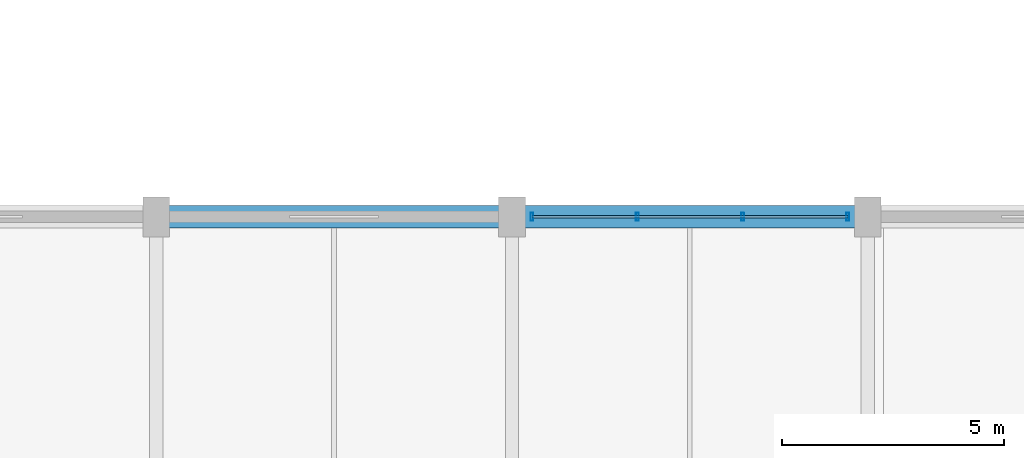
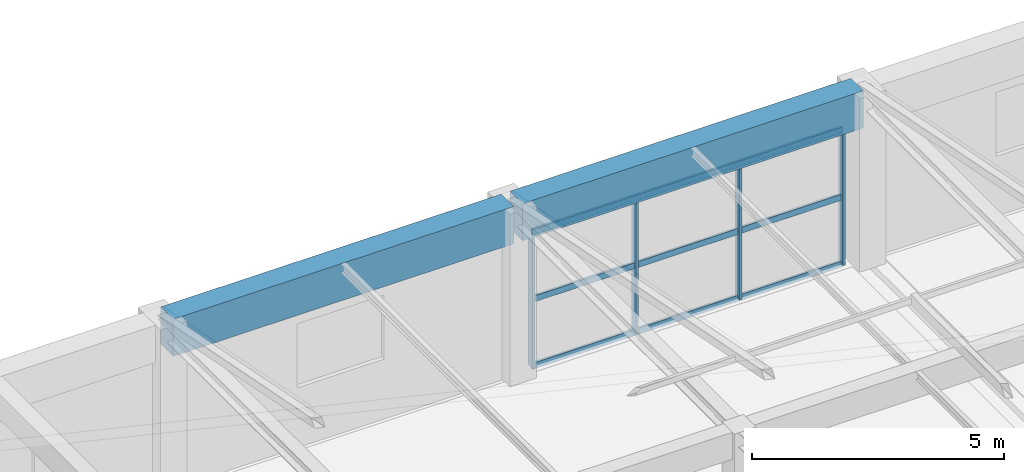
# One storey, part 19 of 65: 7 members, 2 beams, 1 element without a shape of its own.
"""IFC4 building model written with IfcOpenShell, lengths in metres."""

import ifcopenshell
import ifcopenshell.guid

model = None  # the IFC model being written
_history = None  # IfcOwnerHistory: only IFC2X3 demands one
_inside = {}  # id of a spatial element -> (the spatial element, [elements in it])
_under = {}  # id of a project, library or spatial element -> (it, [spatial elements below it])
_declared = {}  # id of a project -> (the project, [libraries it declares])
_typed = {}  # id of a type object -> (the type object, [elements of that type])
_made_of = {}  # id of a material, layer set ... -> (it, [elements and type objects made of it])


def new_model(schema):
    """Start an empty IFC model of exactly this schema.

    Asked for "IFC4X3", IfcOpenShell would pick the latest addendum, in which some entities
    have other attributes; the version numbers below select the first issue.
    IFC2X3 requires an IfcOwnerHistory on every rooted entity: one is made here for all.
    """
    global model, _history
    if schema == "IFC4X3":
        model = ifcopenshell.file(schema_version=(4, 3, 0, 0))
    else:
        model = ifcopenshell.file(schema=schema)
    _inside.clear()
    _under.clear()
    _declared.clear()
    _typed.clear()
    _made_of.clear()
    _history = None
    if model.schema == "IFC2X3":
        org = make("IfcOrganization", Name="unknown")
        user = make(
            "IfcPersonAndOrganization",
            ThePerson=make("IfcPerson", FamilyName="unknown"),
            TheOrganization=org,
        )
        app = make(
            "IfcApplication",
            ApplicationDeveloper=org,
            Version="unknown",
            ApplicationFullName="unknown",
            ApplicationIdentifier="unknown",
        )
        _history = make(
            "IfcOwnerHistory",
            OwningUser=user,
            OwningApplication=app,
            ChangeAction="ADDED",
            CreationDate=0,
        )
    return model


def make(cls, **values):
    """One entity of the class cls with the attributes given. An attribute that is None is left unset."""
    return model.create_entity(
        cls, **{name: value for name, value in values.items() if value is not None}
    )


def rooted(cls, **values):
    """An entity with a GlobalId (a new one), such as an element, a storey or a relation."""
    return make(cls, GlobalId=ifcopenshell.guid.new(), OwnerHistory=_history, **values)


def si_unit(unit_type, name, prefix=None):
    """IfcSIUnit, for example si_unit("LENGTHUNIT", "METRE", prefix="MILLI")."""
    return make("IfcSIUnit", UnitType=unit_type, Prefix=prefix, Name=name)


def assignment(units):
    """IfcUnitAssignment: the units of a project."""
    return None if units is None else make("IfcUnitAssignment", Units=units)


def point(xyz):
    """IfcCartesianPoint."""
    return None if xyz is None else make("IfcCartesianPoint", Coordinates=xyz)


def direction(xyz):
    """IfcDirection."""
    return None if xyz is None else make("IfcDirection", DirectionRatios=xyz)


def frame(location, z_axis=None, x_axis=None):
    """IfcAxis2Placement3D, a coordinate frame: its origin and axes. An axis left out is left unset."""
    return make(
        "IfcAxis2Placement3D",
        Location=point(location),
        Axis=direction(z_axis),
        RefDirection=direction(x_axis),
    )


def frame_2d(location, x_axis=None):
    """IfcAxis2Placement2D, a coordinate frame in the plane: its origin and x axis."""
    return make(
        "IfcAxis2Placement2D", Location=point(location), RefDirection=direction(x_axis)
    )


def origin():
    """The frame at (0, 0, 0) with its axes left unset."""
    return frame((0.0, 0.0, 0.0))


def origin_2d():
    """The frame at (0, 0) in the plane with its x axis left unset."""
    return frame_2d((0.0, 0.0))


def place(relative_to, where):
    """IfcLocalPlacement: puts the frame where relative to a parent placement (None: the world)."""
    return make(
        "IfcLocalPlacement", PlacementRelTo=relative_to, RelativePlacement=where
    )


def context(
    kind, dimensions, precision=None, world=None, true_north=None, identifier=None
):
    """IfcGeometricRepresentationContext, for example the 3D "Model" context."""
    return make(
        "IfcGeometricRepresentationContext",
        ContextIdentifier=identifier,
        ContextType=kind,
        CoordinateSpaceDimension=dimensions,
        Precision=precision,
        WorldCoordinateSystem=world,
        TrueNorth=true_north,
    )


def subcontext(parent, identifier, kind, view, scale=None):
    """IfcGeometricRepresentationSubContext, for example "Body" below "Model"."""
    return make(
        "IfcGeometricRepresentationSubContext",
        ContextIdentifier=identifier,
        ContextType=kind,
        ParentContext=parent,
        TargetScale=scale,
        TargetView=view,
    )


def project(units=None, contexts=None):
    """IfcProject with its units and contexts."""
    return rooted(
        "IfcProject",
        Name="project",
        RepresentationContexts=contexts,
        UnitsInContext=assignment(units),
    )


def spatial(cls, under=None, at=None, **own):
    """A site, building, storey or space (cls), placed at a placement, below another one or the project."""
    s = rooted(cls, ObjectPlacement=at, **own)
    if under is not None:
        _under.setdefault(under.id(), (under, []))[1].append(s)
    return s


def profile(cls, at=None, kind="AREA", **sizes):
    """A parametric profile (cls). Its sizes go by their IFC names, for example OverallWidth=200.0."""
    return make(cls, ProfileType=kind, Position=at, **sizes)


def rectangle(**sizes):
    """IfcRectangleProfileDef."""
    return profile("IfcRectangleProfileDef", **sizes)


def hollow_rectangle(**sizes):
    """IfcRectangleHollowProfileDef."""
    return profile("IfcRectangleHollowProfileDef", **sizes)


def extrude(swept, where, along, depth):
    """IfcExtrudedAreaSolid: the profile swept, set in the frame where, extruded along a direction by depth."""
    return make(
        "IfcExtrudedAreaSolid",
        SweptArea=swept,
        Position=where,
        ExtrudedDirection=direction(along),
        Depth=depth,
    )


def shape(context_of_items, identifier, shape_type, items):
    """IfcShapeRepresentation: the items that make up one representation, for example the "Body"."""
    return make(
        "IfcShapeRepresentation",
        ContextOfItems=context_of_items,
        RepresentationIdentifier=identifier,
        RepresentationType=shape_type,
        Items=items,
    )


def material(Name=None, Category=None):
    """IfcMaterial."""
    return make("IfcMaterial", Name=Name, Category=Category)


def material_profile(
    of_material, cross_section, Name=None, Category=None, Priority=None
):
    """IfcMaterialProfile: a cross section and its material."""
    return make(
        "IfcMaterialProfile",
        Name=Name,
        Material=of_material,
        Profile=cross_section,
        Priority=Priority,
        Category=Category,
    )


def profile_set(profiles, Name=None, composite=None):
    """IfcMaterialProfileSet."""
    return make(
        "IfcMaterialProfileSet",
        Name=Name,
        MaterialProfiles=profiles,
        CompositeProfile=composite,
    )


def made_of(thing, what):
    """Note that an element or type object is made of a material, layer set ...; save() writes the relation."""
    if what is not None:
        _made_of.setdefault(what.id(), (what, []))[1].append(thing)
    return thing


def type_object(cls, material=None, **own):
    """A type object (cls), such as IfcWallType, which elements share."""
    return made_of(rooted(cls, **own), material)


def element(
    cls,
    number,
    at=None,
    inside=None,
    cuts=None,
    type_object=None,
    material=None,
    context=None,
    identifier="Body",
    shape_type=None,
    held_by="IfcProductDefinitionShape",
    body=None,
    shapes=None,
    **own,
):
    """One element of the class cls, such as IfcWall. Its Tag is "e" and its number.

    at: its placement. inside: the storey or other place that contains it. cuts: it is an
    opening in that element (IfcRelVoidsElement). A single representation is given by context,
    identifier, shape_type and body (its items); several are given by shapes. held_by: the class
    of the entity that holds the representations. save() writes the other relations.
    """
    e = rooted(cls, Tag="e%d" % number, ObjectPlacement=at, **own)
    if body is not None:
        shapes = [shape(context, identifier, shape_type, body)]
    if shapes is not None:
        e.Representation = make(held_by, Representations=shapes)
    if inside is not None:
        _inside.setdefault(inside.id(), (inside, []))[1].append(e)
    if cuts is not None:
        rooted(
            "IfcRelVoidsElement", RelatingBuildingElement=cuts, RelatedOpeningElement=e
        )
    if type_object is not None:
        _typed.setdefault(type_object.id(), (type_object, []))[1].append(e)
    return made_of(e, material)


def aggregate(whole, parts):
    """IfcRelAggregates: a whole, such as a stair, and the parts it consists of."""
    return rooted("IfcRelAggregates", RelatingObject=whole, RelatedObjects=parts)


def save(model, path):
    """Write the relations noted so far, then the file.

    IfcRelAggregates (storeys below a building ...), IfcRelContainedInSpatialStructure (elements
    in a storey), IfcRelDefinesByType, IfcRelAssociatesMaterial and IfcRelDeclares: one each for
    every whole, place, type object, material and project.
    """
    for whole, parts in _under.values():
        aggregate(whole, parts)
    for where, things in _inside.values():
        rooted(
            "IfcRelContainedInSpatialStructure",
            RelatedElements=things,
            RelatingStructure=where,
        )
    for kind, things in _typed.values():
        rooted("IfcRelDefinesByType", RelatedObjects=things, RelatingType=kind)
    for what, things in _made_of.values():
        rooted("IfcRelAssociatesMaterial", RelatedObjects=things, RelatingMaterial=what)
    for by, libraries in _declared.values():
        rooted("IfcRelDeclares", RelatingContext=by, RelatedDefinitions=libraries)
    model.write(path)


model = new_model("IFC4")

# Units and contexts
model_context = context("Model", 3, precision=1e-05, world=origin(), true_north=direction((0.0, 1.0)))
body_context = subcontext(model_context, "Body", "Model", "MODEL_VIEW")
ifc_project = project(units=[si_unit("LENGTHUNIT", "METRE"), si_unit("AREAUNIT", "SQUARE_METRE"), si_unit("VOLUMEUNIT", "CUBIC_METRE"), si_unit("PLANEANGLEUNIT", "RADIAN"), si_unit("MASSUNIT", "GRAM", prefix="KILO")], contexts=[model_context])

# Site, building, storey
site_placement = place(None, origin())
site = spatial("IfcSite", under=ifc_project, at=site_placement, CompositionType="ELEMENT")
building_placement = place(site_placement, origin())
building = spatial("IfcBuilding", under=site, at=building_placement, Name="Varnabhumi Central Station", CompositionType="ELEMENT")
storey_placement = place(building_placement, frame((0.0, 0.0, 24.60009765625)))
storey = spatial("IfcBuildingStorey", under=building, at=storey_placement, Name="L05", CompositionType="ELEMENT", Elevation=24.60009765625)

# Beams
ifc_material_1 = material(Name="Concrete M40", Category="concrete")
ifc_material_profile_1 = material_profile(ifc_material_1, rectangle(XDim=0.5, YDim=0.89990234375, at=origin_2d()), Name="Concrete M40", Category="concrete")
ifc_profile_set_1 = profile_set([ifc_material_profile_1], Name="Concrete M40")
beam_type = type_object("IfcBeamType", Name="BM-RC-500x900", PredefinedType="BEAM", material=ifc_profile_set_1)
for number, where, z_axis, x_axis, name in (
    (1, (48.10009765625, 36.0, 3.75), (1.0, 0.0, 0.0), (0.0, 1.0, 0.0), "Beam L05-E:7-8"),
    (2, (56.10009765625, 36.0, 3.75), (1.0, 0.0, 0.0), (0.0, 1.0, 0.0), "Beam L05-E:8-9"),
):
    element("IfcBeam", number, at=place(storey_placement, frame(where, z_axis=z_axis, x_axis=x_axis)), inside=storey, type_object=beam_type, Name=name, PredefinedType="BEAM", context=body_context, shape_type="SweptSolid", body=[
        extrude(rectangle(XDim=0.5, YDim=0.89990234375, at=origin_2d()), origin(), (0.0, 0.0, 1.0), 7.7998046875),
    ])

# Curtain wall, members
ifc_material_2 = material(Name="Anodised aluminium 6063-T6", Category="aluminium")
curtain_wall_type = type_object("IfcCurtainWallType", Name="CW-SPINE-SCREEN-L0", PredefinedType="NOTDEFINED", material=ifc_material_2)
curtain_wall_placement = place(storey_placement, origin())
curtain_wall = element("IfcCurtainWall", 3, at=curtain_wall_placement, inside=storey, type_object=curtain_wall_type, Name="Curtain Wall CW-SS503", PredefinedType="NOTDEFINED")
ifc_material_profile_2 = material_profile(ifc_material_2, hollow_rectangle(XDim=0.06494140625, YDim=0.179931640625, WallThickness=0.00390625, InnerFilletRadius=0.001953125, OuterFilletRadius=0.006103515625, at=origin_2d()), Name="Anodised aluminium 6063-T6", Category="aluminium")
ifc_profile_set_2 = profile_set([ifc_material_profile_2], Name="Anodised aluminium 6063-T6")
member_type_1 = type_object("IfcMemberType", Name="CW-MUL-180", PredefinedType="MULLION", material=ifc_profile_set_2)
member_1_placement = place(storey_placement, frame((56.449951171875, 36.0, 0.0), z_axis=(0.0, 0.0, 1.0), x_axis=(1.0, 0.0, 0.0)))
member_1 = element("IfcMember", 4, at=member_1_placement, type_object=member_type_1, Name="Curtain Wall Mullion CW-SS503-M1", PredefinedType="MULLION", context=body_context, shape_type="SweptSolid", body=[
    extrude(hollow_rectangle(XDim=0.06494140625, YDim=0.179931640625, WallThickness=0.00390625, InnerFilletRadius=0.001953125, OuterFilletRadius=0.006103515625, at=origin_2d()), origin(), (0.0, 0.0, 1.0), 3.239990234375),
])
member_2_placement = place(storey_placement, frame((58.816650390625, 36.0, 0.0), z_axis=(0.0, 0.0, 1.0), x_axis=(1.0, 0.0, 0.0)))
member_2 = element("IfcMember", 5, at=member_2_placement, type_object=member_type_1, Name="Curtain Wall Mullion CW-SS503-M2", PredefinedType="MULLION", context=body_context, shape_type="SweptSolid", body=[
    extrude(hollow_rectangle(XDim=0.06494140625, YDim=0.179931640625, WallThickness=0.00390625, InnerFilletRadius=0.001953125, OuterFilletRadius=0.006103515625, at=origin_2d()), origin(), (0.0, 0.0, 1.0), 3.239990234375),
])
member_3_placement = place(storey_placement, frame((61.183349609375, 36.0, 0.0), z_axis=(0.0, 0.0, 1.0), x_axis=(1.0, 0.0, 0.0)))
member_3 = element("IfcMember", 6, at=member_3_placement, type_object=member_type_1, Name="Curtain Wall Mullion CW-SS503-M3", PredefinedType="MULLION", context=body_context, shape_type="SweptSolid", body=[
    extrude(hollow_rectangle(XDim=0.06494140625, YDim=0.179931640625, WallThickness=0.00390625, InnerFilletRadius=0.001953125, OuterFilletRadius=0.006103515625, at=origin_2d()), origin(), (0.0, 0.0, 1.0), 3.239990234375),
])
member_4_placement = place(storey_placement, frame((63.550048828125, 36.0, 0.0), z_axis=(0.0, 0.0, 1.0), x_axis=(1.0, 0.0, 0.0)))
member_4 = element("IfcMember", 7, at=member_4_placement, type_object=member_type_1, Name="Curtain Wall Mullion CW-SS503-M4", PredefinedType="MULLION", context=body_context, shape_type="SweptSolid", body=[
    extrude(hollow_rectangle(XDim=0.06494140625, YDim=0.179931640625, WallThickness=0.00390625, InnerFilletRadius=0.001953125, OuterFilletRadius=0.006103515625, at=origin_2d()), origin(), (0.0, 0.0, 1.0), 3.239990234375),
])
ifc_material_profile_3 = material_profile(ifc_material_2, hollow_rectangle(XDim=0.06005859375, YDim=0.14990234375, WallThickness=0.00390625, InnerFilletRadius=0.001953125, OuterFilletRadius=0.006103515625, at=origin_2d()), Name="Anodised aluminium 6063-T6", Category="aluminium")
ifc_profile_set_3 = profile_set([ifc_material_profile_3], Name="Anodised aluminium 6063-T6")
member_type_2 = type_object("IfcMemberType", Name="CW-TR-150", PredefinedType="USERDEFINED", material=ifc_profile_set_3)
member_5_placement = place(storey_placement, frame((56.449951171875, 36.0, 0.0), z_axis=(1.0, 0.0, 0.0), x_axis=(0.0, 1.0, 0.0)))
member_5 = element("IfcMember", 8, at=member_5_placement, type_object=member_type_2, Name="Curtain Wall Transom CW-SS503-T1", ObjectType="TRANSOM", PredefinedType="USERDEFINED", context=body_context, shape_type="SweptSolid", body=[
    extrude(hollow_rectangle(XDim=0.06005859375, YDim=0.14990234375, WallThickness=0.00390625, InnerFilletRadius=0.001953125, OuterFilletRadius=0.006103515625, at=origin_2d()), origin(), (0.0, 0.0, 1.0), 7.10009765625),
])
member_6_placement = place(storey_placement, frame((56.449951171875, 36.0, 1.619873046875), z_axis=(1.0, 0.0, 0.0), x_axis=(0.0, 1.0, 0.0)))
member_6 = element("IfcMember", 9, at=member_6_placement, type_object=member_type_2, Name="Curtain Wall Transom CW-SS503-T2", ObjectType="TRANSOM", PredefinedType="USERDEFINED", context=body_context, shape_type="SweptSolid", body=[
    extrude(hollow_rectangle(XDim=0.06005859375, YDim=0.14990234375, WallThickness=0.00390625, InnerFilletRadius=0.001953125, OuterFilletRadius=0.006103515625, at=origin_2d()), origin(), (0.0, 0.0, 1.0), 7.10009765625),
])
member_7_placement = place(storey_placement, frame((56.449951171875, 36.0, 3.239990234375), z_axis=(1.0, 0.0, 0.0), x_axis=(0.0, 1.0, 0.0)))
member_7 = element("IfcMember", 10, at=member_7_placement, type_object=member_type_2, Name="Curtain Wall Transom CW-SS503-T3", ObjectType="TRANSOM", PredefinedType="USERDEFINED", context=body_context, shape_type="SweptSolid", body=[
    extrude(hollow_rectangle(XDim=0.06005859375, YDim=0.14990234375, WallThickness=0.00390625, InnerFilletRadius=0.001953125, OuterFilletRadius=0.006103515625, at=origin_2d()), origin(), (0.0, 0.0, 1.0), 7.10009765625),
])
aggregate(curtain_wall, [member_1, member_2, member_3, member_4, member_5, member_6, member_7])

save(model, "model.ifc")
